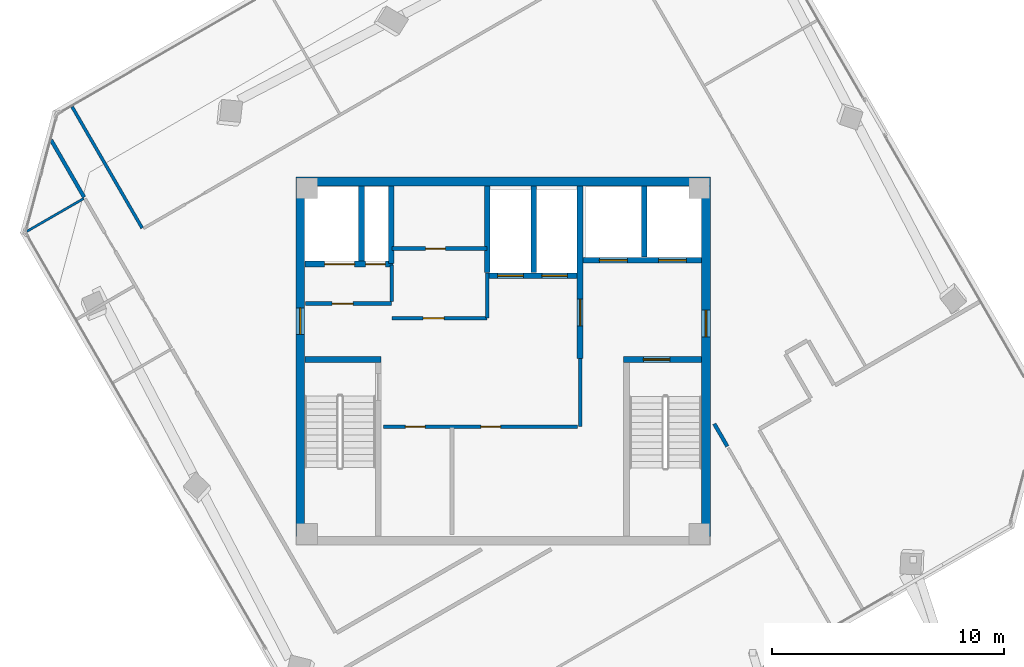
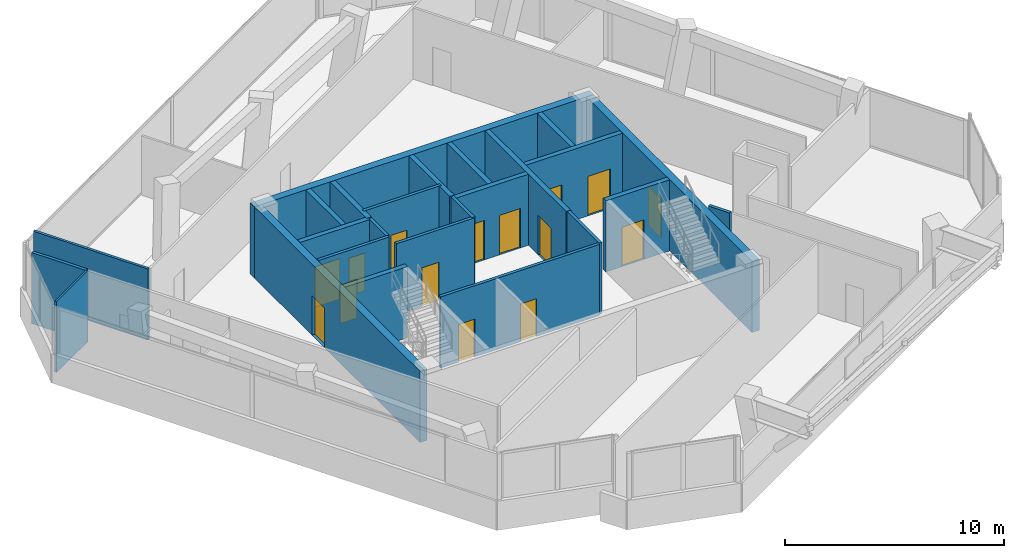
# One storey, part 11 of 15: 25 walls, 15 doors, 15 openings.
"""IFC4 building model written with IfcOpenShell, lengths in metres."""

from ifc_helpers import new_model, si_unit, direction, frame, frame_2d, origin, place, context, subcontext, project, spatial, rectangle, extrude, source, transform, mapped, material, layer, layer_set, type_object, element, fill, save


model = new_model("IFC4")

# Units and contexts
model_context = context("Model", 3, precision=1e-05, world=origin(), true_north=direction((0.0, 1.0)))
body_context = subcontext(model_context, "Body", "Model", "MODEL_VIEW")
ifc_project = project(units=[si_unit("LENGTHUNIT", "METRE"), si_unit("AREAUNIT", "SQUARE_METRE"), si_unit("VOLUMEUNIT", "CUBIC_METRE"), si_unit("PLANEANGLEUNIT", "RADIAN"), si_unit("MASSUNIT", "GRAM", prefix="KILO")], contexts=[model_context])

# Site, building, storey
site_placement = place(None, origin())
site = spatial("IfcSite", under=ifc_project, at=site_placement, CompositionType="ELEMENT")
building_placement = place(site_placement, origin())
building = spatial("IfcBuilding", under=site, at=building_placement, Name="Torre Montelarca", CompositionType="ELEMENT")
storey_placement = place(building_placement, frame((0.0, 0.0, 324.0)))
storey = spatial("IfcBuildingStorey", under=building, at=storey_placement, Name="L73", CompositionType="ELEMENT", Elevation=324.0)

# Wall
ifc_material_1 = material(Name="Concrete C40/50", Category="concrete")
ifc_layer_1 = layer(ifc_material_1, 0.25, Name="Concrete C40/50", Category="concrete")
ifc_layer_set_1 = layer_set([ifc_layer_1], Name="Concrete C40/50")
wall_type_1 = type_object("IfcWallType", Name="CW-SHAFT-250", PredefinedType="SHEAR", material=ifc_layer_set_1)
wall_1_placement = place(storey_placement, frame((9.4599609375, 32.074951171875, 0.0), z_axis=(0.0, 0.0, 1.0), x_axis=(1.0, 0.0, 0.0)))
element("IfcWall", 1, at=wall_1_placement, inside=storey, type_object=wall_type_1, Name="L73 Core Shear Wall SH-ST1-N", PredefinedType="SHEAR", context=body_context, shape_type="SweptSolid", body=[
    extrude(rectangle(XDim=3.2900390625, YDim=0.25, at=frame_2d((1.64501953125, 0.0))), origin(), (0.0, 0.0, 1.0), 3.9599609375),
])

# Wall, opening, door
wall_2_placement = place(storey_placement, frame((23.18994140625, 32.074951171875, 0.0), z_axis=(0.0, 0.0, 1.0), x_axis=(1.0, 0.0, 0.0)))
wall_2 = element("IfcWall", 2, at=wall_2_placement, inside=storey, type_object=wall_type_1, Name="L73 Core Shear Wall SH-ST2-N", PredefinedType="SHEAR", context=body_context, shape_type="SweptSolid", body=[
    extrude(rectangle(XDim=3.35009765625, YDim=0.25, at=frame_2d((1.675048828125, 0.0))), origin(), (0.0, 0.0, 1.0), 3.9599609375),
])
opening_1_placement = place(wall_2_placement, frame((0.85009765625, 0.0, 0.0)))
opening_1 = element("IfcOpeningElement", 3, at=opening_1_placement, cuts=wall_2, Name="Opening FD-ST1", PredefinedType="OPENING", context=body_context, shape_type="SweptSolid", body=[
    extrude(rectangle(XDim=1.14990234375, YDim=2.199951171875, at=frame_2d((0.574951171875, 1.10009765625))), frame((0.0, 0.135009765625, 0.0), z_axis=(0.0, -1.0, 0.0), x_axis=(1.0, 0.0, 0.0)), (0.0, 0.0, 1.0), 0.27001953125),
])
ifc_material_2 = material(Name="Galvanized steel fire door", Category="steel")
door_type_1 = type_object("IfcDoorType", Name="DR-STAIR-115", OperationType="NOTDEFINED", PredefinedType="DOOR", material=ifc_material_2)
shared_shape_1 = source(origin(), body_context, "Body", "SweptSolid", [
    extrude(rectangle(XDim=1.14990234375, YDim=2.199951171875, at=frame_2d((0.574951171875, 1.10009765625))), frame((0.0, 0.02490234375, 0.0), z_axis=(0.0, -1.0, 0.0), x_axis=(1.0, 0.0, 0.0)), (0.0, 0.0, 1.0), 0.050048828125),
])
door_1_placement = place(opening_1_placement, origin())
door_1 = element("IfcDoor", 4, at=door_1_placement, inside=storey, type_object=door_type_1, Name="L73 Exit Stair ST2 Fire Door", OperationType="SINGLE_SWING_RIGHT", OverallHeight=2.199951171875, OverallWidth=1.14990234375, PredefinedType="DOOR", context=body_context, shape_type="MappedRepresentation", body=[
    mapped(shared_shape_1, transform((0.0, 0.0, 0.0), scale=1.0)),
])
fill(opening_1, door_1)

wall_3_placement = place(storey_placement, frame((21.320068359375, 32.1201171875, 0.0), z_axis=(0.0, 0.0, 1.0), x_axis=(0.0, 1.0, 0.0)))
wall_3 = element("IfcWall", 5, at=wall_3_placement, inside=storey, type_object=wall_type_1, Name="L73 Core Shear Wall SH-FFL-W", PredefinedType="SHEAR", context=body_context, shape_type="SweptSolid", body=[
    extrude(rectangle(XDim=7.419921875, YDim=0.25, at=frame_2d((3.7099609375, 0.0))), origin(), (0.0, 0.0, 1.0), 3.9599609375),
])
opening_2_placement = place(wall_3_placement, frame((1.39990234375, 0.0, 0.0)))
opening_2 = element("IfcOpeningElement", 6, at=opening_2_placement, cuts=wall_3, Name="Opening FD-LB1", PredefinedType="OPENING", context=body_context, shape_type="SweptSolid", body=[
    extrude(rectangle(XDim=1.14990234375, YDim=2.199951171875, at=frame_2d((0.574951171875, 1.10009765625))), frame((0.0, 0.135009765625, 0.0), z_axis=(0.0, -1.0, 0.0), x_axis=(1.0, 0.0, 0.0)), (0.0, 0.0, 1.0), 0.27001953125),
])
ifc_material_3 = material(Name="Acoustic timber-veneered fire door", Category="wood")
door_type_2 = type_object("IfcDoorType", Name="DR-LOBBY-115", OperationType="NOTDEFINED", PredefinedType="DOOR", material=ifc_material_3)
shared_shape_2 = source(origin(), body_context, "Body", "SweptSolid", [
    extrude(rectangle(XDim=1.14990234375, YDim=2.199951171875, at=frame_2d((0.574951171875, 1.10009765625))), frame((0.0, 0.02490234375, 0.0), z_axis=(0.0, -1.0, 0.0), x_axis=(1.0, 0.0, 0.0)), (0.0, 0.0, 1.0), 0.050048828125),
])
door_2_placement = place(opening_2_placement, origin())
door_2 = element("IfcDoor", 7, at=door_2_placement, inside=storey, type_object=door_type_2, Name="L73 Lift Lobby to Firefighting Lobby Smoke Door", OperationType="SINGLE_SWING_LEFT", OverallHeight=2.199951171875, OverallWidth=1.14990234375, PredefinedType="DOOR", context=body_context, shape_type="MappedRepresentation", body=[
    mapped(shared_shape_2, transform((0.0, 0.0, 0.0), scale=1.0)),
])
fill(opening_2, door_2)

# Wall, openings, doors
wall_4_placement = place(storey_placement, frame((9.4599609375, 36.179931640625, 0.0), z_axis=(0.0, 0.0, 1.0), x_axis=(1.0, 0.0, 0.0)))
wall_4 = element("IfcWall", 8, at=wall_4_placement, inside=storey, type_object=wall_type_1, Name="L73 Core Shear Wall SH-SV1-S", PredefinedType="SHEAR", context=body_context, shape_type="SweptSolid", body=[
    extrude(rectangle(XDim=3.7900390625, YDim=0.25, at=frame_2d((1.89501953125, 0.0))), origin(), (0.0, 0.0, 1.0), 3.9599609375),
])
opening_3_placement = place(wall_4_placement, frame((2.6201171875, 0.0, 0.0)))
opening_3 = element("IfcOpeningElement", 9, at=opening_3_placement, cuts=wall_4, Name="Opening FD-085", PredefinedType="OPENING", context=body_context, shape_type="SweptSolid", body=[
    extrude(rectangle(XDim=0.85009765625, YDim=2.10009765625, at=frame_2d((0.425048828125, 1.050048828125))), frame((0.0, 0.135009765625, 0.0), z_axis=(0.0, -1.0, 0.0), x_axis=(1.0, 0.0, 0.0)), (0.0, 0.0, 1.0), 0.27001953125),
])
opening_4_placement = place(wall_4_placement, frame((0.85009765625, 0.0, 0.0)))
opening_4 = element("IfcOpeningElement", 10, at=opening_4_placement, cuts=wall_4, Name="Opening LD-130", PredefinedType="OPENING", context=body_context, shape_type="SweptSolid", body=[
    extrude(rectangle(XDim=1.300048828125, YDim=2.25, at=frame_2d((0.64990234375, 1.125))), frame((0.0, 0.135009765625, 0.0), z_axis=(0.0, -1.0, 0.0), x_axis=(1.0, 0.0, 0.0)), (0.0, 0.0, 1.0), 0.27001953125),
])
ifc_material_4 = material(Name="Steel riser access fire door", Category="steel")
door_type_3 = type_object("IfcDoorType", Name="DR-RISER-085", OperationType="NOTDEFINED", PredefinedType="DOOR", material=ifc_material_4)
shared_shape_3 = source(origin(), body_context, "Body", "SweptSolid", [
    extrude(rectangle(XDim=0.85009765625, YDim=2.10009765625, at=frame_2d((0.425048828125, 1.050048828125))), frame((0.0, 0.02490234375, 0.0), z_axis=(0.0, -1.0, 0.0), x_axis=(1.0, 0.0, 0.0)), (0.0, 0.0, 1.0), 0.050048828125),
])
door_3_placement = place(opening_3_placement, origin())
door_3 = element("IfcDoor", 11, at=door_3_placement, inside=storey, type_object=door_type_3, Name="L73 Electrical Riser Shaft Access Door", OperationType="SINGLE_SWING_RIGHT", OverallHeight=2.10009765625, OverallWidth=0.85009765625, PredefinedType="DOOR", context=body_context, shape_type="MappedRepresentation", body=[
    mapped(shared_shape_3, transform((0.0, 0.0, 0.0), scale=1.0)),
])
fill(opening_3, door_3)
ifc_material_5 = material(Name="Brushed stainless steel AISI 316", Category="steel")
door_type_4 = type_object("IfcDoorType", Name="DR-LIFT-130", OperationType="SLIDING_TO_LEFT", PredefinedType="DOOR", material=ifc_material_5)
shared_shape_4 = source(origin(), body_context, "Body", "SweptSolid", [
    extrude(rectangle(XDim=1.300048828125, YDim=2.25, at=frame_2d((0.64990234375, 1.125))), frame((0.0, 0.02490234375, 0.0), z_axis=(0.0, -1.0, 0.0), x_axis=(1.0, 0.0, 0.0)), (0.0, 0.0, 1.0), 0.050048828125),
])
door_4_placement = place(opening_4_placement, origin())
door_4 = element("IfcDoor", 12, at=door_4_placement, inside=storey, type_object=door_type_4, Name="L73 Lift Landing Sliding Door SV-1", OperationType="SLIDING_TO_LEFT", OverallHeight=2.25, OverallWidth=1.300048828125, PredefinedType="DOOR", context=body_context, shape_type="MappedRepresentation", body=[
    mapped(shared_shape_4, transform((0.0, 0.0, 0.0), scale=1.0)),
])
fill(opening_4, door_4)

# Wall
wall_5_placement = place(storey_placement, frame((11.89990234375, 36.31005859375, 0.0), z_axis=(0.0, 0.0, 1.0), x_axis=(0.0, 1.0, 0.0)))
element("IfcWall", 13, at=wall_5_placement, inside=storey, type_object=wall_type_1, Name="L73 Core Shear Wall SH-SV1-E", PredefinedType="SHEAR", context=body_context, shape_type="SweptSolid", body=[
    extrude(rectangle(XDim=3.22998046875, YDim=0.25, at=frame_2d((1.614990234375, 0.0))), origin(), (0.0, 0.0, 1.0), 3.9599609375),
])

# Wall, openings, doors
wall_6_placement = place(storey_placement, frame((21.449951171875, 36.35009765625, 0.0), z_axis=(0.0, 0.0, 1.0), x_axis=(1.0, 0.0, 0.0)))
wall_6 = element("IfcWall", 14, at=wall_6_placement, inside=storey, type_object=wall_type_1, Name="L73 Core Shear Wall SH-FF-S", PredefinedType="SHEAR", context=body_context, shape_type="SweptSolid", body=[
    extrude(rectangle(XDim=5.090087890625, YDim=0.25, at=frame_2d((2.544921875, 0.0))), origin(), (0.0, 0.0, 1.0), 3.9599609375),
])
opening_5_placement = place(wall_6_placement, frame((0.699951171875, 0.0, 0.0)))
opening_5 = element("IfcOpeningElement", 15, at=opening_5_placement, cuts=wall_6, Name="Opening LD-120", PredefinedType="OPENING", context=body_context, shape_type="SweptSolid", body=[
    extrude(rectangle(XDim=1.199951171875, YDim=2.199951171875, at=frame_2d((0.60009765625, 1.10009765625))), frame((0.0, 0.135009765625, 0.0), z_axis=(0.0, -1.0, 0.0), x_axis=(1.0, 0.0, 0.0)), (0.0, 0.0, 1.0), 0.27001953125),
])
opening_6_placement = place(wall_6_placement, frame((3.25, 0.0, 0.0)))
opening_6 = element("IfcOpeningElement", 16, at=opening_6_placement, cuts=wall_6, Name="Opening LD-120", PredefinedType="OPENING", context=body_context, shape_type="SweptSolid", body=[
    extrude(rectangle(XDim=1.199951171875, YDim=2.199951171875, at=frame_2d((0.60009765625, 1.10009765625))), frame((0.0, 0.135009765625, 0.0), z_axis=(0.0, -1.0, 0.0), x_axis=(1.0, 0.0, 0.0)), (0.0, 0.0, 1.0), 0.27001953125),
])
door_type_5 = type_object("IfcDoorType", Name="DR-LIFT-120", OperationType="SLIDING_TO_RIGHT", PredefinedType="DOOR", material=ifc_material_5)
shared_shape_5 = source(origin(), body_context, "Body", "SweptSolid", [
    extrude(rectangle(XDim=1.199951171875, YDim=2.199951171875, at=frame_2d((0.60009765625, 1.10009765625))), frame((0.0, 0.02490234375, 0.0), z_axis=(0.0, -1.0, 0.0), x_axis=(1.0, 0.0, 0.0)), (0.0, 0.0, 1.0), 0.050048828125),
])
door_5_placement = place(opening_5_placement, origin())
door_5 = element("IfcDoor", 17, at=door_5_placement, inside=storey, type_object=door_type_5, Name="L73 Lift Landing Sliding Door FF-1", OperationType="SLIDING_TO_LEFT", OverallHeight=2.199951171875, OverallWidth=1.199951171875, PredefinedType="DOOR", context=body_context, shape_type="MappedRepresentation", body=[
    mapped(shared_shape_5, transform((0.0, 0.0, 0.0), scale=1.0)),
])
fill(opening_5, door_5)
door_6_placement = place(opening_6_placement, origin())
door_6 = element("IfcDoor", 18, at=door_6_placement, inside=storey, type_object=door_type_5, Name="L73 Lift Landing Sliding Door FF-2", OperationType="SLIDING_TO_RIGHT", OverallHeight=2.199951171875, OverallWidth=1.199951171875, PredefinedType="DOOR", context=body_context, shape_type="MappedRepresentation", body=[
    mapped(shared_shape_5, transform((0.0, 0.0, 0.0), scale=1.0)),
])
fill(opening_6, door_6)

# Walls
wall_7_placement = place(storey_placement, frame((24.080078125, 36.47998046875, 0.0), z_axis=(0.0, 0.0, 1.0), x_axis=(0.0, 1.0, 0.0)))
element("IfcWall", 19, at=wall_7_placement, inside=storey, type_object=wall_type_1, Name="L73 Core Shear Wall SH-FF-M", PredefinedType="SHEAR", context=body_context, shape_type="SweptSolid", body=[
    extrude(rectangle(XDim=3.06005859375, YDim=0.25, at=frame_2d((1.530029296875, 0.0))), origin(), (0.0, 0.0, 1.0), 3.9599609375),
])
wall_8_placement = place(storey_placement, frame((13.179931640625, 36.199951171875, 0.0), z_axis=(0.0, 0.0, 1.0), x_axis=(0.0, 1.0, 0.0)))
element("IfcWall", 20, at=wall_8_placement, inside=storey, type_object=wall_type_1, Name="L73 Core Shear Wall SH-RSR1-E", PredefinedType="SHEAR", context=body_context, shape_type="SweptSolid", body=[
    extrude(rectangle(XDim=3.340087890625, YDim=0.25, at=frame_2d((1.669921875, 0.0))), origin(), (0.0, 0.0, 1.0), 3.9599609375),
])

# Wall, openings, doors
wall_9_placement = place(storey_placement, frame((17.320068359375, 35.679931640625, 0.0), z_axis=(0.0, 0.0, 1.0), x_axis=(1.0, 0.0, 0.0)))
wall_9 = element("IfcWall", 21, at=wall_9_placement, inside=storey, type_object=wall_type_1, Name="L73 Core Shear Wall SH-PLH-S", PredefinedType="SHEAR", context=body_context, shape_type="SweptSolid", body=[
    extrude(rectangle(XDim=3.869873046875, YDim=0.25, at=frame_2d((1.93505859375, 0.0))), origin(), (0.0, 0.0, 1.0), 3.9599609375),
])
opening_7_placement = place(wall_9_placement, frame((0.449951171875, 0.0, 0.0)))
opening_7 = element("IfcOpeningElement", 22, at=opening_7_placement, cuts=wall_9, Name="Opening LD-110", PredefinedType="OPENING", context=body_context, shape_type="SweptSolid", body=[
    extrude(rectangle(XDim=1.10009765625, YDim=2.199951171875, at=frame_2d((0.550048828125, 1.10009765625))), frame((0.0, 0.135009765625, 0.0), z_axis=(0.0, -1.0, 0.0), x_axis=(1.0, 0.0, 0.0)), (0.0, 0.0, 1.0), 0.27001953125),
])
opening_8_placement = place(wall_9_placement, frame((2.35009765625, 0.0, 0.0)))
opening_8 = element("IfcOpeningElement", 23, at=opening_8_placement, cuts=wall_9, Name="Opening LD-110", PredefinedType="OPENING", context=body_context, shape_type="SweptSolid", body=[
    extrude(rectangle(XDim=1.10009765625, YDim=2.199951171875, at=frame_2d((0.550048828125, 1.10009765625))), frame((0.0, 0.135009765625, 0.0), z_axis=(0.0, -1.0, 0.0), x_axis=(1.0, 0.0, 0.0)), (0.0, 0.0, 1.0), 0.27001953125),
])
door_type_6 = type_object("IfcDoorType", Name="DR-LIFT-110", OperationType="SLIDING_TO_LEFT", PredefinedType="DOOR", material=ifc_material_5)
shared_shape_6 = source(origin(), body_context, "Body", "SweptSolid", [
    extrude(rectangle(XDim=1.10009765625, YDim=2.199951171875, at=frame_2d((0.550048828125, 1.10009765625))), frame((0.0, 0.02490234375, 0.0), z_axis=(0.0, -1.0, 0.0), x_axis=(1.0, 0.0, 0.0)), (0.0, 0.0, 1.0), 0.050048828125),
])
door_7_placement = place(opening_7_placement, origin())
door_7 = element("IfcDoor", 24, at=door_7_placement, inside=storey, type_object=door_type_6, Name="L73 Lift Landing Sliding Door PL-H1", OperationType="SLIDING_TO_LEFT", OverallHeight=2.199951171875, OverallWidth=1.10009765625, PredefinedType="DOOR", context=body_context, shape_type="MappedRepresentation", body=[
    mapped(shared_shape_6, transform((0.0, 0.0, 0.0), scale=1.0)),
])
fill(opening_7, door_7)
door_8_placement = place(opening_8_placement, origin())
door_8 = element("IfcDoor", 25, at=door_8_placement, inside=storey, type_object=door_type_6, Name="L73 Lift Landing Sliding Door PL-H2", OperationType="SLIDING_TO_RIGHT", OverallHeight=2.199951171875, OverallWidth=1.10009765625, PredefinedType="DOOR", context=body_context, shape_type="MappedRepresentation", body=[
    mapped(shared_shape_6, transform((0.0, 0.0, 0.0), scale=1.0)),
])
fill(opening_8, door_8)

# Walls
for number, where, z_axis, x_axis, name in (
    (26, (17.320068359375, 35.81005859375, 0.0), (0.0, 0.0, 1.0), (0.0, 1.0, 0.0), "L73 Core Shear Wall SH-PLH-W"),
    (27, (19.320068359375, 35.81005859375, 0.0), (0.0, 0.0, 1.0), (0.0, 1.0, 0.0), "L73 Core Shear Wall SH-PLH-M"),
):
    element("IfcWall", number, at=place(storey_placement, frame(where, z_axis=z_axis, x_axis=x_axis)), inside=storey, type_object=wall_type_1, Name=name, PredefinedType="SHEAR", context=body_context, shape_type="SweptSolid", body=[
        extrude(rectangle(XDim=3.72998046875, YDim=0.25, at=frame_2d((1.864990234375, 0.0))), origin(), (0.0, 0.0, 1.0), 3.9599609375),
    ])

# Wall, opening, door
ifc_layer_2 = layer(ifc_material_1, 0.3798828125, Name="Concrete C40/50", Category="concrete")
ifc_layer_set_2 = layer_set([ifc_layer_2], Name="Concrete C40/50")
wall_type_2 = type_object("IfcWallType", Name="CW-SHEAR-380", PredefinedType="SHEAR", material=ifc_layer_set_2)
wall_10_placement = place(storey_placement, frame((9.260009765625, 24.449951171875, 0.0), z_axis=(0.0, 0.0, 1.0), x_axis=(0.0, 1.0, 0.0)))
wall_10 = element("IfcWall", 28, at=wall_10_placement, inside=storey, type_object=wall_type_2, Name="L73 Core Shear Wall CW-W", PredefinedType="SHEAR", context=body_context, shape_type="SweptSolid", body=[
    extrude(rectangle(XDim=15.10009765625, YDim=0.3798828125, at=frame_2d((7.550048828125, 0.0))), origin(), (0.0, 0.0, 1.0), 3.9599609375),
])
opening_9_placement = place(wall_10_placement, frame((8.699951171875, 0.0, 0.0)))
opening_9 = element("IfcOpeningElement", 29, at=opening_9_placement, cuts=wall_10, Name="Opening FD-LB1", PredefinedType="OPENING", context=body_context, shape_type="SweptSolid", body=[
    extrude(rectangle(XDim=1.14990234375, YDim=2.199951171875, at=frame_2d((0.574951171875, 1.10009765625))), frame((0.0, 0.199951171875, 0.0), z_axis=(0.0, -1.0, 0.0), x_axis=(1.0, 0.0, 0.0)), (0.0, 0.0, 1.0), 0.39990234375),
])
door_9_placement = place(opening_9_placement, origin())
door_9 = element("IfcDoor", 30, at=door_9_placement, inside=storey, type_object=door_type_2, Name="L73 Passenger Lift Lobby West Corridor Fire Door", OperationType="SINGLE_SWING_RIGHT", OverallHeight=2.199951171875, OverallWidth=1.14990234375, PredefinedType="DOOR", context=body_context, shape_type="MappedRepresentation", body=[
    mapped(shared_shape_2, transform((0.0, 0.0, 0.0), scale=1.0)),
])
fill(opening_9, door_9)

wall_11_placement = place(storey_placement, frame((26.739990234375, 24.449951171875, 0.0), z_axis=(0.0, 0.0, 1.0), x_axis=(0.0, 1.0, 0.0)))
wall_11 = element("IfcWall", 31, at=wall_11_placement, inside=storey, type_object=wall_type_2, Name="L73 Core Shear Wall CW-E", PredefinedType="SHEAR", context=body_context, shape_type="SweptSolid", body=[
    extrude(rectangle(XDim=15.10009765625, YDim=0.3798828125, at=frame_2d((7.550048828125, 0.0))), origin(), (0.0, 0.0, 1.0), 3.9599609375),
])
opening_10_placement = place(wall_11_placement, frame((8.60009765625, 0.0, 0.0)))
opening_10 = element("IfcOpeningElement", 32, at=opening_10_placement, cuts=wall_11, Name="Opening FD-LB1", PredefinedType="OPENING", context=body_context, shape_type="SweptSolid", body=[
    extrude(rectangle(XDim=1.14990234375, YDim=2.199951171875, at=frame_2d((0.574951171875, 1.10009765625))), frame((0.0, 0.199951171875, 0.0), z_axis=(0.0, -1.0, 0.0), x_axis=(1.0, 0.0, 0.0)), (0.0, 0.0, 1.0), 0.39990234375),
])
door_10_placement = place(opening_10_placement, origin())
door_10 = element("IfcDoor", 33, at=door_10_placement, inside=storey, type_object=door_type_2, Name="L73 Firefighting Lift Lobby Corridor Fire Door", OperationType="SINGLE_SWING_RIGHT", OverallHeight=2.199951171875, OverallWidth=1.14990234375, PredefinedType="DOOR", context=body_context, shape_type="MappedRepresentation", body=[
    mapped(shared_shape_2, transform((0.0, 0.0, 0.0), scale=1.0)),
])
fill(opening_10, door_10)

# Wall
wall_12_placement = place(storey_placement, frame((9.070068359375, 39.739990234375, 0.0), z_axis=(0.0, 0.0, 1.0), x_axis=(1.0, 0.0, 0.0)))
element("IfcWall", 34, at=wall_12_placement, inside=storey, type_object=wall_type_2, Name="L73 Core Shear Wall CW-N1", PredefinedType="SHEAR", context=body_context, shape_type="SweptSolid", body=[
    extrude(rectangle(XDim=17.85986328125, YDim=0.3798828125, at=frame_2d((8.929931640625, 0.0))), origin(), (0.0, 0.0, 1.0), 3.9599609375),
])

# Wall, opening, door
ifc_material_6 = material(Name="Gypsum plasterboard on steel stud", Category="steel")
ifc_layer_3 = layer(ifc_material_6, 0.159912109375, Name="Gypsum plasterboard on steel stud", Category="steel")
ifc_layer_set_3 = layer_set([ifc_layer_3], Name="Gypsum plasterboard on steel stud")
wall_type_3 = type_object("IfcWallType", Name="PW-FIRE-160", PredefinedType="PARTITIONING", material=ifc_layer_set_3)
wall_13_placement = place(storey_placement, frame((9.489990234375, 34.47998046875, 0.0), z_axis=(0.0, 0.0, 1.0), x_axis=(1.0, 0.0, 0.0)))
wall_13 = element("IfcWall", 35, at=wall_13_placement, inside=storey, type_object=wall_type_3, Name="L73 Interior Partition CW-L73-SVS", PredefinedType="PARTITIONING", context=body_context, shape_type="SweptSolid", body=[
    extrude(rectangle(XDim=3.699951171875, YDim=0.159912109375, at=frame_2d((1.85009765625, 0.0))), origin(), (0.0, 0.0, 1.0), 3.9599609375),
])
opening_11_placement = place(wall_13_placement, frame((1.14990234375, 0.0, 0.0)))
opening_11 = element("IfcOpeningElement", 36, at=opening_11_placement, cuts=wall_13, Name="Opening FD-090", PredefinedType="OPENING", context=body_context, shape_type="SweptSolid", body=[
    extrude(rectangle(XDim=0.89990234375, YDim=2.14990234375, at=frame_2d((0.449951171875, 1.074951171875))), frame((0.0, 0.08984375, 0.0), z_axis=(0.0, -1.0, 0.0), x_axis=(1.0, 0.0, 0.0)), (0.0, 0.0, 1.0), 0.179931640625),
])
ifc_material_7 = material(Name="Steel service fire door", Category="steel")
door_type_7 = type_object("IfcDoorType", Name="DR-FIRE-090", OperationType="NOTDEFINED", PredefinedType="DOOR", material=ifc_material_7)
shared_shape_7 = source(origin(), body_context, "Body", "SweptSolid", [
    extrude(rectangle(XDim=0.89990234375, YDim=2.14990234375, at=frame_2d((0.449951171875, 1.074951171875))), frame((0.0, 0.02490234375, 0.0), z_axis=(0.0, -1.0, 0.0), x_axis=(1.0, 0.0, 0.0)), (0.0, 0.0, 1.0), 0.050048828125),
])
door_11_placement = place(opening_11_placement, origin())
door_11 = element("IfcDoor", 37, at=door_11_placement, inside=storey, type_object=door_type_7, Name="L73 Interior Door 01", OperationType="SINGLE_SWING_RIGHT", OverallHeight=2.14990234375, OverallWidth=0.89990234375, PredefinedType="DOOR", context=body_context, shape_type="MappedRepresentation", body=[
    mapped(shared_shape_7, transform((0.0, 0.0, 0.0), scale=1.0)),
])
fill(opening_11, door_11)

# Wall
wall_14_placement = place(storey_placement, frame((13.199951171875, 34.570068359375, 0.0), z_axis=(0.0, 0.0, 1.0), x_axis=(0.0, 1.0, 0.0)))
element("IfcWall", 38, at=wall_14_placement, inside=storey, type_object=wall_type_3, Name="L73 Interior Partition CW-L73-SVE", PredefinedType="PARTITIONING", context=body_context, shape_type="SweptSolid", body=[
    extrude(rectangle(XDim=1.56982421875, YDim=0.159912109375, at=frame_2d((0.784912109375, 0.0))), origin(), (0.0, 0.0, 1.0), 3.9599609375),
])

# Wall, opening, door
wall_15_placement = place(storey_placement, frame((13.2099609375, 33.85009765625, 0.0), z_axis=(0.0, 0.0, 1.0), x_axis=(1.0, 0.0, 0.0)))
wall_15 = element("IfcWall", 39, at=wall_15_placement, inside=storey, type_object=wall_type_3, Name="L73 Interior Partition CW-L73-FRMS", PredefinedType="PARTITIONING", context=body_context, shape_type="SweptSolid", body=[
    extrude(rectangle(XDim=4.10009765625, YDim=0.159912109375, at=frame_2d((2.050048828125, 0.0))), origin(), (0.0, 0.0, 1.0), 3.9599609375),
])
opening_12_placement = place(wall_15_placement, frame((1.35009765625, 0.0, 0.0)))
opening_12 = element("IfcOpeningElement", 40, at=opening_12_placement, cuts=wall_15, Name="Opening FD-090", PredefinedType="OPENING", context=body_context, shape_type="SweptSolid", body=[
    extrude(rectangle(XDim=0.89990234375, YDim=2.14990234375, at=frame_2d((0.449951171875, 1.074951171875))), frame((0.0, 0.08984375, 0.0), z_axis=(0.0, -1.0, 0.0), x_axis=(1.0, 0.0, 0.0)), (0.0, 0.0, 1.0), 0.179931640625),
])
door_12_placement = place(opening_12_placement, origin())
door_12 = element("IfcDoor", 41, at=door_12_placement, inside=storey, type_object=door_type_7, Name="L73 Interior Door 02", OperationType="SINGLE_SWING_LEFT", OverallHeight=2.14990234375, OverallWidth=0.89990234375, PredefinedType="DOOR", context=body_context, shape_type="MappedRepresentation", body=[
    mapped(shared_shape_7, transform((0.0, 0.0, 0.0), scale=1.0)),
])
fill(opening_12, door_12)

# Wall
wall_16_placement = place(storey_placement, frame((17.320068359375, 33.860107421875, 0.0), z_axis=(0.0, 0.0, 1.0), x_axis=(0.0, 1.0, 0.0)))
element("IfcWall", 42, at=wall_16_placement, inside=storey, type_object=wall_type_3, Name="L73 Interior Partition CW-L73-FRME", PredefinedType="PARTITIONING", context=body_context, shape_type="SweptSolid", body=[
    extrude(rectangle(XDim=1.929931640625, YDim=0.159912109375, at=frame_2d((0.96484375, 0.0))), origin(), (0.0, 0.0, 1.0), 3.9599609375),
])

# Wall, opening, door
wall_17_placement = place(storey_placement, frame((13.2099609375, 36.85009765625, 0.0), z_axis=(0.0, 0.0, 1.0), x_axis=(1.0, 0.0, 0.0)))
wall_17 = element("IfcWall", 43, at=wall_17_placement, inside=storey, type_object=wall_type_3, Name="L73 Interior Partition CW-L73-FRMD", PredefinedType="PARTITIONING", context=body_context, shape_type="SweptSolid", body=[
    extrude(rectangle(XDim=4.10009765625, YDim=0.159912109375, at=frame_2d((2.050048828125, 0.0))), origin(), (0.0, 0.0, 1.0), 3.9599609375),
])
opening_13_placement = place(wall_17_placement, frame((1.449951171875, 0.0, 0.0)))
opening_13 = element("IfcOpeningElement", 44, at=opening_13_placement, cuts=wall_17, Name="Opening FD-085", PredefinedType="OPENING", context=body_context, shape_type="SweptSolid", body=[
    extrude(rectangle(XDim=0.85009765625, YDim=2.10009765625, at=frame_2d((0.425048828125, 1.050048828125))), frame((0.0, 0.08984375, 0.0), z_axis=(0.0, -1.0, 0.0), x_axis=(1.0, 0.0, 0.0)), (0.0, 0.0, 1.0), 0.179931640625),
])
door_13_placement = place(opening_13_placement, origin())
door_13 = element("IfcDoor", 45, at=door_13_placement, inside=storey, type_object=door_type_3, Name="L73 Interior Door 03", OperationType="SINGLE_SWING_RIGHT", OverallHeight=2.10009765625, OverallWidth=0.85009765625, PredefinedType="DOOR", context=body_context, shape_type="MappedRepresentation", body=[
    mapped(shared_shape_3, transform((0.0, 0.0, 0.0), scale=1.0)),
])
fill(opening_13, door_13)

# Wall, openings, doors
wall_18_placement = place(storey_placement, frame((12.840087890625, 29.179931640625, 0.0), z_axis=(0.0, 0.0, 1.0), x_axis=(1.0, 0.0, 0.0)))
wall_18 = element("IfcWall", 46, at=wall_18_placement, inside=storey, type_object=wall_type_3, Name="L73 Interior Partition CW-L73-FRDN", PredefinedType="PARTITIONING", context=body_context, shape_type="SweptSolid", body=[
    extrude(rectangle(XDim=8.369873046875, YDim=0.159912109375, at=frame_2d((4.18505859375, 0.0))), origin(), (0.0, 0.0, 1.0), 3.9599609375),
])
opening_14_placement = place(wall_18_placement, frame((0.949951171875, 0.0, 0.0)))
opening_14 = element("IfcOpeningElement", 47, at=opening_14_placement, cuts=wall_18, Name="Opening FD-085", PredefinedType="OPENING", context=body_context, shape_type="SweptSolid", body=[
    extrude(rectangle(XDim=0.85009765625, YDim=2.10009765625, at=frame_2d((0.425048828125, 1.050048828125))), frame((0.0, 0.08984375, 0.0), z_axis=(0.0, -1.0, 0.0), x_axis=(1.0, 0.0, 0.0)), (0.0, 0.0, 1.0), 0.179931640625),
])
opening_15_placement = place(wall_18_placement, frame((4.199951171875, 0.0, 0.0)))
opening_15 = element("IfcOpeningElement", 48, at=opening_15_placement, cuts=wall_18, Name="Opening FD-085", PredefinedType="OPENING", context=body_context, shape_type="SweptSolid", body=[
    extrude(rectangle(XDim=0.85009765625, YDim=2.10009765625, at=frame_2d((0.425048828125, 1.050048828125))), frame((0.0, 0.08984375, 0.0), z_axis=(0.0, -1.0, 0.0), x_axis=(1.0, 0.0, 0.0)), (0.0, 0.0, 1.0), 0.179931640625),
])
door_14_placement = place(opening_14_placement, origin())
door_14 = element("IfcDoor", 49, at=door_14_placement, inside=storey, type_object=door_type_3, Name="L73 Interior Door 04", OperationType="SINGLE_SWING_LEFT", OverallHeight=2.10009765625, OverallWidth=0.85009765625, PredefinedType="DOOR", context=body_context, shape_type="MappedRepresentation", body=[
    mapped(shared_shape_3, transform((0.0, 0.0, 0.0), scale=1.0)),
])
fill(opening_14, door_14)
door_15_placement = place(opening_15_placement, origin())
door_15 = element("IfcDoor", 50, at=door_15_placement, inside=storey, type_object=door_type_3, Name="L73 Interior Door 05", OperationType="SINGLE_SWING_RIGHT", OverallHeight=2.10009765625, OverallWidth=0.85009765625, PredefinedType="DOOR", context=body_context, shape_type="MappedRepresentation", body=[
    mapped(shared_shape_3, transform((0.0, 0.0, 0.0), scale=1.0)),
])
fill(opening_15, door_15)

# Walls
wall_19_placement = place(storey_placement, frame((21.320068359375, 29.18994140625, 0.0), z_axis=(0.0, 0.0, 1.0), x_axis=(0.0, 1.0, 0.0)))
element("IfcWall", 51, at=wall_19_placement, inside=storey, type_object=wall_type_3, Name="L73 Interior Partition CW-L73-FRE", PredefinedType="PARTITIONING", context=body_context, shape_type="SweptSolid", body=[
    extrude(rectangle(XDim=2.920166015625, YDim=0.159912109375, at=frame_2d((1.4599609375, 0.0))), origin(), (0.0, 0.0, 1.0), 3.9599609375),
])
wall_20_placement = place(storey_placement, frame((-1.468994140625, 41.5234375, 0.0), z_axis=(0.0, 0.0, 1.0), x_axis=(0.499945532396, -0.866056848387, 0.0)))
element("IfcWall", 52, at=wall_20_placement, inside=storey, type_object=wall_type_3, Name="L73 Interior Partition W-L73-SOCCW", PredefinedType="PARTITIONING", context=body_context, shape_type="SweptSolid", body=[
    extrude(rectangle(XDim=2.842041015625, YDim=0.159912109375, at=frame_2d((1.4208984375, 0.0))), origin(), (0.0, 0.0, 1.0), 3.9599609375),
])
wall_21_placement = place(storey_placement, frame((27.10009765625, 29.300537109375, 0.0), z_axis=(0.0, 0.0, 1.0), x_axis=(0.499929606556, -0.866066041644, 0.0)))
element("IfcWall", 53, at=wall_21_placement, inside=storey, type_object=wall_type_3, Name="L73 Interior Partition W-L73-SOCCN3", PredefinedType="PARTITIONING", context=body_context, shape_type="SweptSolid", body=[
    extrude(rectangle(XDim=1.122314453125, YDim=0.159912109375, at=frame_2d((0.56103515625, 0.0))), origin(), (0.0, 0.0, 1.0), 3.9599609375),
])
ifc_material_8 = material(Name="Acoustic laminated glass partition", Category="glass")
ifc_layer_4 = layer(ifc_material_8, 0.10009765625, Name="Acoustic laminated glass partition", Category="glass")
ifc_layer_set_4 = layer_set([ifc_layer_4], Name="Acoustic laminated glass partition")
wall_type_4 = type_object("IfcWallType", Name="PW-GLAZ-100", PredefinedType="PARTITIONING", material=ifc_layer_set_4)
wall_22_placement = place(storey_placement, frame((-2.52392578125, 37.58642578125, 0.0), z_axis=(0.0, 0.0, 1.0), x_axis=(0.866019653938, 0.500009958894, 0.0)))
element("IfcWall", 54, at=wall_22_placement, inside=storey, type_object=wall_type_4, Name="L73 Interior Partition W-L73-WCW", PredefinedType="PARTITIONING", context=body_context, shape_type="SweptSolid", body=[
    extrude(rectangle(XDim=2.84228515625, YDim=0.10009765625, at=frame_2d((1.421142578125, 0.0))), origin(), (0.0, 0.0, 1.0), 3.9599609375),
])
ifc_layer_5 = layer(ifc_material_6, 0.135009765625, Name="Gypsum plasterboard on steel stud", Category="steel")
ifc_layer_set_5 = layer_set([ifc_layer_5], Name="Gypsum plasterboard on steel stud")
wall_type_5 = type_object("IfcWallType", Name="PW-PART-135", PredefinedType="PARTITIONING", material=ifc_layer_set_5)
wall_23_placement = place(storey_placement, frame((-0.56396484375, 42.955810546875, 0.0), z_axis=(0.0, 0.0, 1.0), x_axis=(0.500014506688, -0.866017028182, 0.0)))
element("IfcWall", 55, at=wall_23_placement, inside=storey, type_object=wall_type_5, Name="L73 Interior Partition W-L73-WWGS", PredefinedType="PARTITIONING", context=body_context, shape_type="SweptSolid", body=[
    extrude(rectangle(XDim=6.030029296875, YDim=0.135009765625, at=frame_2d((3.01513671875, 0.0))), origin(), (0.0, 0.0, 1.0), 3.9599609375),
])

save(model, "model.ifc")
